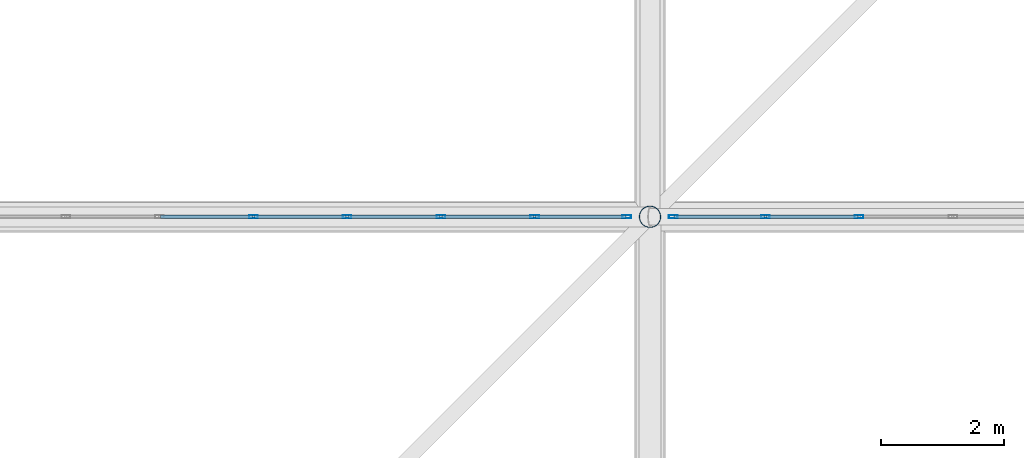
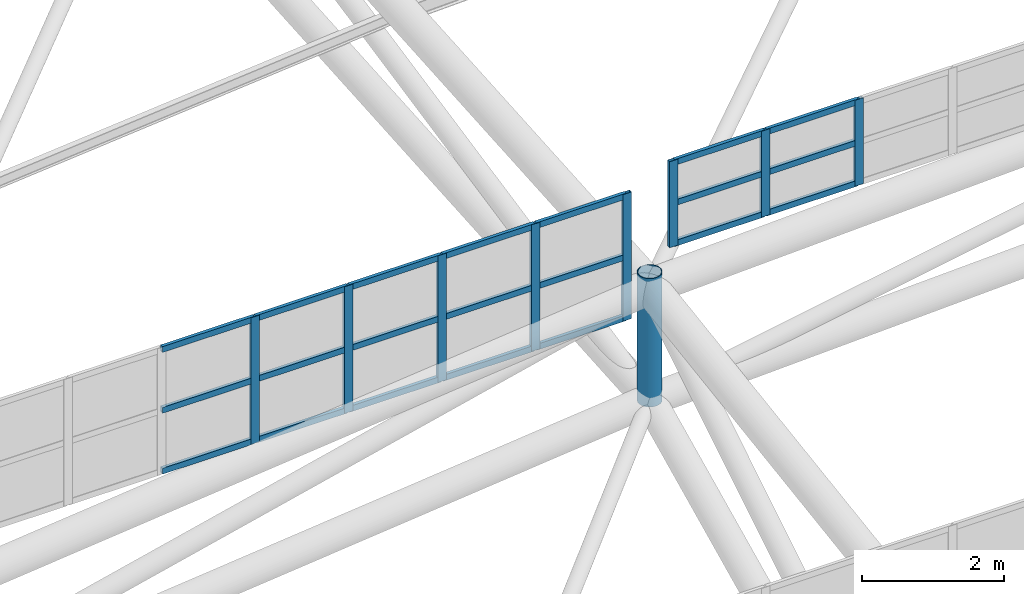
# One storey, part 37 of 397: 30 members, 2 elements without a shape of their own.
"""IFC4 building model written with IfcOpenShell, lengths in metres."""

from ifc_helpers import new_model, si_unit, direction, frame, origin, origin_2d, place, context, subcontext, project, spatial, hollow_rectangle, hollow_circle, extrude, material, material_profile, profile_set, type_object, element, aggregate, save


model = new_model("IFC4")

# Units and contexts
model_context = context("Model", 3, precision=1e-05, world=origin(), true_north=direction((0.0, 1.0)))
body_context = subcontext(model_context, "Body", "Model", "MODEL_VIEW")
ifc_project = project(units=[si_unit("LENGTHUNIT", "METRE"), si_unit("AREAUNIT", "SQUARE_METRE"), si_unit("VOLUMEUNIT", "CUBIC_METRE"), si_unit("PLANEANGLEUNIT", "RADIAN"), si_unit("MASSUNIT", "GRAM", prefix="KILO")], contexts=[model_context])

# Site, building, storey
site_placement = place(None, origin())
site = spatial("IfcSite", under=ifc_project, at=site_placement, CompositionType="ELEMENT")
building_placement = place(site_placement, origin())
building = spatial("IfcBuilding", under=site, at=building_placement, Name="Qandorah Velis Arena", CompositionType="ELEMENT")
storey_placement = place(building_placement, frame((0.0, 0.0, 27.5)))
storey = spatial("IfcBuildingStorey", under=building, at=storey_placement, Name="RF", CompositionType="ELEMENT", Elevation=27.5)

# Curtain wall, members
ifc_material_1 = material(Name="Solar-control low-E double glazing", Category="glass")
curtain_wall_type_1 = type_object("IfcCurtainWallType", Name="ARC-CW-SYS16", PredefinedType="USERDEFINED", material=ifc_material_1)
curtain_wall_1_placement = place(storey_placement, origin())
curtain_wall_1 = element("IfcCurtainWall", 1, at=curtain_wall_1_placement, inside=storey, type_object=curtain_wall_type_1, Name="Unitised curtain wall OCULUS-3-1", ObjectType="UNITISED CURTAIN WALL", PredefinedType="USERDEFINED")
ifc_material_2 = material(Name="Champagne-bronze anodized aluminium 6063-T6", Category="aluminium")
ifc_material_profile_1 = material_profile(ifc_material_2, hollow_rectangle(XDim=0.054931640625, YDim=0.139892578125, WallThickness=0.0029296875, at=origin_2d()), Name="ALU MULLION 55x140")
ifc_profile_set_1 = profile_set([ifc_material_profile_1], Name="Champagne-bronze anodized aluminium 6063-T6")
member_type_1 = type_object("IfcMemberType", Name="ARC-CWM-140", PredefinedType="MULLION", material=ifc_profile_set_1)
member_1_placement = place(storey_placement, frame((36.76123046875, 28.800048828125, 8.53515625), z_axis=(0.0, 0.0, 1.0), x_axis=(0.0, 1.0, 0.0)))
member_1 = element("IfcMember", 2, at=member_1_placement, type_object=member_type_1, Name="CW16 mullion 6", PredefinedType="MULLION", context=body_context, shape_type="SweptSolid", body=[
    extrude(hollow_rectangle(XDim=0.054931640625, YDim=0.139892578125, WallThickness=0.0029296875, at=origin_2d()), origin(), (0.0, 0.0, 1.0), 2.179931640625),
])
member_2_placement = place(storey_placement, frame((38.283447265625, 28.800048828125, 8.53515625), z_axis=(0.0, 0.0, 1.0), x_axis=(0.0, 1.0, 0.0)))
member_2 = element("IfcMember", 3, at=member_2_placement, type_object=member_type_1, Name="CW16 mullion 7", PredefinedType="MULLION", context=body_context, shape_type="SweptSolid", body=[
    extrude(hollow_rectangle(XDim=0.054931640625, YDim=0.139892578125, WallThickness=0.0029296875, at=origin_2d()), origin(), (0.0, 0.0, 1.0), 2.179931640625),
])
member_3_placement = place(storey_placement, frame((39.8056640625, 28.800048828125, 8.53515625), z_axis=(0.0, 0.0, 1.0), x_axis=(0.0, 1.0, 0.0)))
member_3 = element("IfcMember", 4, at=member_3_placement, type_object=member_type_1, Name="CW16 mullion 8", PredefinedType="MULLION", context=body_context, shape_type="SweptSolid", body=[
    extrude(hollow_rectangle(XDim=0.054931640625, YDim=0.139892578125, WallThickness=0.0029296875, at=origin_2d()), origin(), (0.0, 0.0, 1.0), 2.179931640625),
])
member_4_placement = place(storey_placement, frame((41.327880859375, 28.800048828125, 8.53515625), z_axis=(0.0, 0.0, 1.0), x_axis=(0.0, 1.0, 0.0)))
member_4 = element("IfcMember", 5, at=member_4_placement, type_object=member_type_1, Name="CW16 mullion 9", PredefinedType="MULLION", context=body_context, shape_type="SweptSolid", body=[
    extrude(hollow_rectangle(XDim=0.054931640625, YDim=0.139892578125, WallThickness=0.0029296875, at=origin_2d()), origin(), (0.0, 0.0, 1.0), 2.179931640625),
])
member_5_placement = place(storey_placement, frame((42.822509765625, 28.800048828125, 8.53515625), z_axis=(0.0, 0.0, 1.0), x_axis=(0.0, 1.0, 0.0)))
member_5 = element("IfcMember", 6, at=member_5_placement, type_object=member_type_1, Name="CW16 mullion 10", PredefinedType="MULLION", context=body_context, shape_type="SweptSolid", body=[
    extrude(hollow_rectangle(XDim=0.054931640625, YDim=0.139892578125, WallThickness=0.0029296875, at=origin_2d()), origin(), (0.0, 0.0, 1.0), 2.179931640625),
])

curtain_wall_type_2 = type_object("IfcCurtainWallType", Name="ARC-CW-SYS17", PredefinedType="USERDEFINED", material=ifc_material_1)
curtain_wall_2_placement = place(storey_placement, origin())
curtain_wall_2 = element("IfcCurtainWall", 7, at=curtain_wall_2_placement, inside=storey, type_object=curtain_wall_type_2, Name="Unitised curtain wall OCULUS-3-2", ObjectType="UNITISED CURTAIN WALL", PredefinedType="USERDEFINED")
member_6_placement = place(storey_placement, frame((43.577392578125, 28.800048828125, 9.5341796875), z_axis=(0.0, 0.0, 1.0), x_axis=(0.0, 1.0, 0.0)))
member_6 = element("IfcMember", 8, at=member_6_placement, type_object=member_type_1, Name="CW17 mullion 1", PredefinedType="MULLION", context=body_context, shape_type="SweptSolid", body=[
    extrude(hollow_rectangle(XDim=0.054931640625, YDim=0.139892578125, WallThickness=0.0029296875, at=origin_2d()), origin(), (0.0, 0.0, 1.0), 1.480712890625),
])
member_7_placement = place(storey_placement, frame((45.072265625, 28.800048828125, 9.5341796875), z_axis=(0.0, 0.0, 1.0), x_axis=(0.0, 1.0, 0.0)))
member_7 = element("IfcMember", 9, at=member_7_placement, type_object=member_type_1, Name="CW17 mullion 2", PredefinedType="MULLION", context=body_context, shape_type="SweptSolid", body=[
    extrude(hollow_rectangle(XDim=0.054931640625, YDim=0.139892578125, WallThickness=0.0029296875, at=origin_2d()), origin(), (0.0, 0.0, 1.0), 1.480712890625),
])
member_8_placement = place(storey_placement, frame((46.594482421875, 28.800048828125, 9.5341796875), z_axis=(0.0, 0.0, 1.0), x_axis=(0.0, 1.0, 0.0)))
member_8 = element("IfcMember", 10, at=member_8_placement, type_object=member_type_1, Name="CW17 mullion 3", PredefinedType="MULLION", context=body_context, shape_type="SweptSolid", body=[
    extrude(hollow_rectangle(XDim=0.054931640625, YDim=0.139892578125, WallThickness=0.0029296875, at=origin_2d()), origin(), (0.0, 0.0, 1.0), 1.480712890625),
])

# Member
ifc_material_profile_2 = material_profile(ifc_material_2, hollow_rectangle(XDim=0.054931640625, YDim=0.10009765625, WallThickness=0.0029296875, at=origin_2d()), Name="ALU TRANSOM 55x100")
ifc_profile_set_2 = profile_set([ifc_material_profile_2], Name="Champagne-bronze anodized aluminium 6063-T6")
member_type_2 = type_object("IfcMemberType", Name="ARC-CWT-100", PredefinedType="USERDEFINED", material=ifc_profile_set_2)
member_9_placement = place(storey_placement, frame((35.25439453125, 28.800048828125, 8.57763671875), z_axis=(1.0, 0.0, 0.0), x_axis=(0.0, 1.0, 0.0)))
member_9 = element("IfcMember", 11, at=member_9_placement, type_object=member_type_2, Name="CW16 transom 5.1", ObjectType="TRANSOM", PredefinedType="USERDEFINED", context=body_context, shape_type="SweptSolid", body=[
    extrude(hollow_rectangle(XDim=0.054931640625, YDim=0.10009765625, WallThickness=0.0029296875, at=origin_2d()), origin(), (0.0, 0.0, 1.0), 1.4912109375),
])

member_10_placement = place(storey_placement, frame((35.25439453125, 28.800048828125, 9.625244140625), z_axis=(1.0, 0.0, 0.0), x_axis=(0.0, 1.0, 0.0)))
member_10 = element("IfcMember", 12, at=member_10_placement, type_object=member_type_2, Name="CW16 transom 5.2", ObjectType="TRANSOM", PredefinedType="USERDEFINED", context=body_context, shape_type="SweptSolid", body=[
    extrude(hollow_rectangle(XDim=0.054931640625, YDim=0.10009765625, WallThickness=0.0029296875, at=origin_2d()), origin(), (0.0, 0.0, 1.0), 1.4912109375),
])

member_11_placement = place(storey_placement, frame((35.25439453125, 28.800048828125, 10.672607421875), z_axis=(1.0, 0.0, 0.0), x_axis=(0.0, 1.0, 0.0)))
member_11 = element("IfcMember", 13, at=member_11_placement, type_object=member_type_2, Name="CW16 transom 5.3", ObjectType="TRANSOM", PredefinedType="USERDEFINED", context=body_context, shape_type="SweptSolid", body=[
    extrude(hollow_rectangle(XDim=0.054931640625, YDim=0.10009765625, WallThickness=0.0029296875, at=origin_2d()), origin(), (0.0, 0.0, 1.0), 1.4912109375),
])

member_12_placement = place(storey_placement, frame((36.776611328125, 28.800048828125, 8.57763671875), z_axis=(1.0, 0.0, 0.0), x_axis=(0.0, 1.0, 0.0)))
member_12 = element("IfcMember", 14, at=member_12_placement, type_object=member_type_2, Name="CW16 transom 6.1", ObjectType="TRANSOM", PredefinedType="USERDEFINED", context=body_context, shape_type="SweptSolid", body=[
    extrude(hollow_rectangle(XDim=0.054931640625, YDim=0.10009765625, WallThickness=0.0029296875, at=origin_2d()), origin(), (0.0, 0.0, 1.0), 1.4912109375),
])

member_13_placement = place(storey_placement, frame((36.776611328125, 28.800048828125, 9.625244140625), z_axis=(1.0, 0.0, 0.0), x_axis=(0.0, 1.0, 0.0)))
member_13 = element("IfcMember", 15, at=member_13_placement, type_object=member_type_2, Name="CW16 transom 6.2", ObjectType="TRANSOM", PredefinedType="USERDEFINED", context=body_context, shape_type="SweptSolid", body=[
    extrude(hollow_rectangle(XDim=0.054931640625, YDim=0.10009765625, WallThickness=0.0029296875, at=origin_2d()), origin(), (0.0, 0.0, 1.0), 1.4912109375),
])

member_14_placement = place(storey_placement, frame((36.776611328125, 28.800048828125, 10.672607421875), z_axis=(1.0, 0.0, 0.0), x_axis=(0.0, 1.0, 0.0)))
member_14 = element("IfcMember", 16, at=member_14_placement, type_object=member_type_2, Name="CW16 transom 6.3", ObjectType="TRANSOM", PredefinedType="USERDEFINED", context=body_context, shape_type="SweptSolid", body=[
    extrude(hollow_rectangle(XDim=0.054931640625, YDim=0.10009765625, WallThickness=0.0029296875, at=origin_2d()), origin(), (0.0, 0.0, 1.0), 1.4912109375),
])

member_15_placement = place(storey_placement, frame((38.298828125, 28.800048828125, 8.57763671875), z_axis=(1.0, 0.0, 0.0), x_axis=(0.0, 1.0, 0.0)))
member_15 = element("IfcMember", 17, at=member_15_placement, type_object=member_type_2, Name="CW16 transom 7.1", ObjectType="TRANSOM", PredefinedType="USERDEFINED", context=body_context, shape_type="SweptSolid", body=[
    extrude(hollow_rectangle(XDim=0.054931640625, YDim=0.10009765625, WallThickness=0.0029296875, at=origin_2d()), origin(), (0.0, 0.0, 1.0), 1.4912109375),
])

member_16_placement = place(storey_placement, frame((38.298828125, 28.800048828125, 9.625244140625), z_axis=(1.0, 0.0, 0.0), x_axis=(0.0, 1.0, 0.0)))
member_16 = element("IfcMember", 18, at=member_16_placement, type_object=member_type_2, Name="CW16 transom 7.2", ObjectType="TRANSOM", PredefinedType="USERDEFINED", context=body_context, shape_type="SweptSolid", body=[
    extrude(hollow_rectangle(XDim=0.054931640625, YDim=0.10009765625, WallThickness=0.0029296875, at=origin_2d()), origin(), (0.0, 0.0, 1.0), 1.4912109375),
])

member_17_placement = place(storey_placement, frame((38.298828125, 28.800048828125, 10.672607421875), z_axis=(1.0, 0.0, 0.0), x_axis=(0.0, 1.0, 0.0)))
member_17 = element("IfcMember", 19, at=member_17_placement, type_object=member_type_2, Name="CW16 transom 7.3", ObjectType="TRANSOM", PredefinedType="USERDEFINED", context=body_context, shape_type="SweptSolid", body=[
    extrude(hollow_rectangle(XDim=0.054931640625, YDim=0.10009765625, WallThickness=0.0029296875, at=origin_2d()), origin(), (0.0, 0.0, 1.0), 1.4912109375),
])

member_18_placement = place(storey_placement, frame((39.821044921875, 28.800048828125, 8.57763671875), z_axis=(1.0, 0.0, 0.0), x_axis=(0.0, 1.0, 0.0)))
member_18 = element("IfcMember", 20, at=member_18_placement, type_object=member_type_2, Name="CW16 transom 8.1", ObjectType="TRANSOM", PredefinedType="USERDEFINED", context=body_context, shape_type="SweptSolid", body=[
    extrude(hollow_rectangle(XDim=0.054931640625, YDim=0.10009765625, WallThickness=0.0029296875, at=origin_2d()), origin(), (0.0, 0.0, 1.0), 1.4912109375),
])

member_19_placement = place(storey_placement, frame((39.821044921875, 28.800048828125, 9.625244140625), z_axis=(1.0, 0.0, 0.0), x_axis=(0.0, 1.0, 0.0)))
member_19 = element("IfcMember", 21, at=member_19_placement, type_object=member_type_2, Name="CW16 transom 8.2", ObjectType="TRANSOM", PredefinedType="USERDEFINED", context=body_context, shape_type="SweptSolid", body=[
    extrude(hollow_rectangle(XDim=0.054931640625, YDim=0.10009765625, WallThickness=0.0029296875, at=origin_2d()), origin(), (0.0, 0.0, 1.0), 1.4912109375),
])

member_20_placement = place(storey_placement, frame((39.821044921875, 28.800048828125, 10.672607421875), z_axis=(1.0, 0.0, 0.0), x_axis=(0.0, 1.0, 0.0)))
member_20 = element("IfcMember", 22, at=member_20_placement, type_object=member_type_2, Name="CW16 transom 8.3", ObjectType="TRANSOM", PredefinedType="USERDEFINED", context=body_context, shape_type="SweptSolid", body=[
    extrude(hollow_rectangle(XDim=0.054931640625, YDim=0.10009765625, WallThickness=0.0029296875, at=origin_2d()), origin(), (0.0, 0.0, 1.0), 1.4912109375),
])

member_21_placement = place(storey_placement, frame((41.34326171875, 28.800048828125, 8.57763671875), z_axis=(1.0, 0.0, 0.0), x_axis=(0.0, 1.0, 0.0)))
member_21 = element("IfcMember", 23, at=member_21_placement, type_object=member_type_2, Name="CW16 transom 9.1", ObjectType="TRANSOM", PredefinedType="USERDEFINED", context=body_context, shape_type="SweptSolid", body=[
    extrude(hollow_rectangle(XDim=0.054931640625, YDim=0.10009765625, WallThickness=0.0029296875, at=origin_2d()), origin(), (0.0, 0.0, 1.0), 1.463623046875),
])

member_22_placement = place(storey_placement, frame((41.34326171875, 28.800048828125, 9.625244140625), z_axis=(1.0, 0.0, 0.0), x_axis=(0.0, 1.0, 0.0)))
member_22 = element("IfcMember", 24, at=member_22_placement, type_object=member_type_2, Name="CW16 transom 9.2", ObjectType="TRANSOM", PredefinedType="USERDEFINED", context=body_context, shape_type="SweptSolid", body=[
    extrude(hollow_rectangle(XDim=0.054931640625, YDim=0.10009765625, WallThickness=0.0029296875, at=origin_2d()), origin(), (0.0, 0.0, 1.0), 1.463623046875),
])

member_23_placement = place(storey_placement, frame((41.34326171875, 28.800048828125, 10.672607421875), z_axis=(1.0, 0.0, 0.0), x_axis=(0.0, 1.0, 0.0)))
member_23 = element("IfcMember", 25, at=member_23_placement, type_object=member_type_2, Name="CW16 transom 9.3", ObjectType="TRANSOM", PredefinedType="USERDEFINED", context=body_context, shape_type="SweptSolid", body=[
    extrude(hollow_rectangle(XDim=0.054931640625, YDim=0.10009765625, WallThickness=0.0029296875, at=origin_2d()), origin(), (0.0, 0.0, 1.0), 1.463623046875),
])

aggregate(curtain_wall_1, [member_1, member_2, member_3, member_4, member_5, member_9, member_10, member_11, member_12, member_13, member_14, member_15, member_16, member_17, member_18, member_19, member_20, member_21, member_22, member_23])

member_24_placement = place(storey_placement, frame((43.593017578125, 28.800048828125, 9.57666015625), z_axis=(1.0, 0.0, 0.0), x_axis=(0.0, 1.0, 0.0)))
member_24 = element("IfcMember", 26, at=member_24_placement, type_object=member_type_2, Name="CW17 transom 1.1", ObjectType="TRANSOM", PredefinedType="USERDEFINED", context=body_context, shape_type="SweptSolid", body=[
    extrude(hollow_rectangle(XDim=0.054931640625, YDim=0.10009765625, WallThickness=0.0029296875, at=origin_2d()), origin(), (0.0, 0.0, 1.0), 1.463623046875),
])

member_25_placement = place(storey_placement, frame((43.593017578125, 28.800048828125, 10.274658203125), z_axis=(1.0, 0.0, 0.0), x_axis=(0.0, 1.0, 0.0)))
member_25 = element("IfcMember", 27, at=member_25_placement, type_object=member_type_2, Name="CW17 transom 1.2", ObjectType="TRANSOM", PredefinedType="USERDEFINED", context=body_context, shape_type="SweptSolid", body=[
    extrude(hollow_rectangle(XDim=0.054931640625, YDim=0.10009765625, WallThickness=0.0029296875, at=origin_2d()), origin(), (0.0, 0.0, 1.0), 1.463623046875),
])

member_26_placement = place(storey_placement, frame((43.593017578125, 28.800048828125, 10.972412109375), z_axis=(1.0, 0.0, 0.0), x_axis=(0.0, 1.0, 0.0)))
member_26 = element("IfcMember", 28, at=member_26_placement, type_object=member_type_2, Name="CW17 transom 1.3", ObjectType="TRANSOM", PredefinedType="USERDEFINED", context=body_context, shape_type="SweptSolid", body=[
    extrude(hollow_rectangle(XDim=0.054931640625, YDim=0.10009765625, WallThickness=0.0029296875, at=origin_2d()), origin(), (0.0, 0.0, 1.0), 1.463623046875),
])

member_27_placement = place(storey_placement, frame((45.087646484375, 28.800048828125, 9.57666015625), z_axis=(1.0, 0.0, 0.0), x_axis=(0.0, 1.0, 0.0)))
member_27 = element("IfcMember", 29, at=member_27_placement, type_object=member_type_2, Name="CW17 transom 2.1", ObjectType="TRANSOM", PredefinedType="USERDEFINED", context=body_context, shape_type="SweptSolid", body=[
    extrude(hollow_rectangle(XDim=0.054931640625, YDim=0.10009765625, WallThickness=0.0029296875, at=origin_2d()), origin(), (0.0, 0.0, 1.0), 1.4912109375),
])

member_28_placement = place(storey_placement, frame((45.087646484375, 28.800048828125, 10.274658203125), z_axis=(1.0, 0.0, 0.0), x_axis=(0.0, 1.0, 0.0)))
member_28 = element("IfcMember", 30, at=member_28_placement, type_object=member_type_2, Name="CW17 transom 2.2", ObjectType="TRANSOM", PredefinedType="USERDEFINED", context=body_context, shape_type="SweptSolid", body=[
    extrude(hollow_rectangle(XDim=0.054931640625, YDim=0.10009765625, WallThickness=0.0029296875, at=origin_2d()), origin(), (0.0, 0.0, 1.0), 1.4912109375),
])

member_29_placement = place(storey_placement, frame((45.087646484375, 28.800048828125, 10.972412109375), z_axis=(1.0, 0.0, 0.0), x_axis=(0.0, 1.0, 0.0)))
member_29 = element("IfcMember", 31, at=member_29_placement, type_object=member_type_2, Name="CW17 transom 2.3", ObjectType="TRANSOM", PredefinedType="USERDEFINED", context=body_context, shape_type="SweptSolid", body=[
    extrude(hollow_rectangle(XDim=0.054931640625, YDim=0.10009765625, WallThickness=0.0029296875, at=origin_2d()), origin(), (0.0, 0.0, 1.0), 1.4912109375),
])

aggregate(curtain_wall_2, [member_6, member_7, member_8, member_24, member_25, member_26, member_27, member_28, member_29])

ifc_material_3 = material(Name="Steel S355", Category="steel")
ifc_material_profile_3 = material_profile(ifc_material_3, hollow_circle(Radius=0.177734375, WallThickness=0.012451171875, at=origin_2d()), Name="CHS 355.6x12.5")
ifc_profile_set_3 = profile_set([ifc_material_profile_3], Name="Steel S355")
member_type_3 = type_object("IfcMemberType", Name="STR-SFD-CHS355X12", PredefinedType="STRUT", material=ifc_profile_set_3)
member_30_placement = place(storey_placement, frame((43.199951171875, 28.800048828125, 7.009521484375), z_axis=(0.0, 0.0, 1.0), x_axis=(1.0, 0.0, 0.0)))
element("IfcMember", 32, at=member_30_placement, inside=storey, type_object=member_type_3, Name="Space frame roof vertical post 2.1", PredefinedType="STRUT", context=body_context, shape_type="SweptSolid", body=[
    extrude(hollow_circle(Radius=0.177734375, WallThickness=0.012451171875, at=origin_2d()), origin(), (0.0, 0.0, 1.0), 2.2099609375),
])

save(model, "model.ifc")
